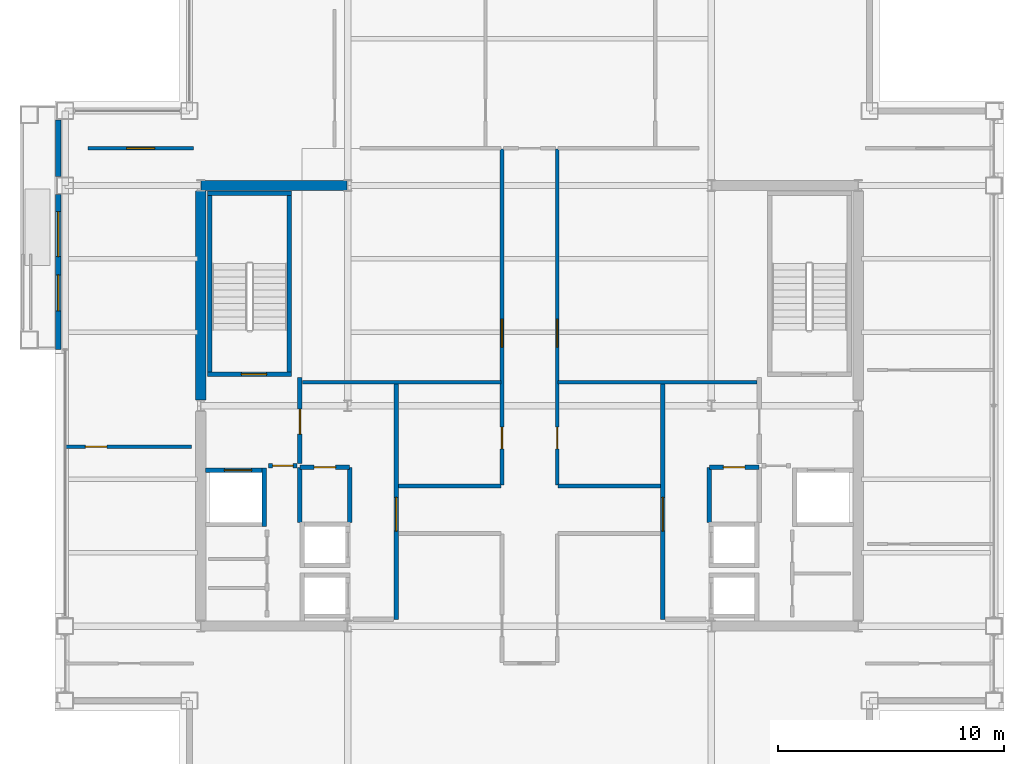
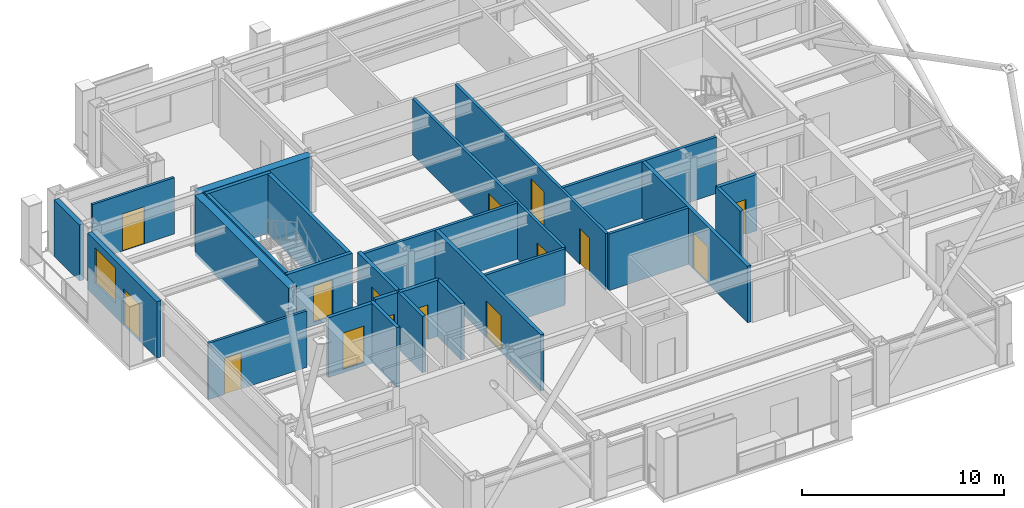
# One storey, part 26 of 30: 27 walls, 15 doors, 1 window, 16 openings.
"""IFC4 building model written with IfcOpenShell, lengths in metres."""

from ifc_helpers import new_model, si_unit, direction, frame, frame_2d, origin, place, context, subcontext, project, spatial, rectangle, extrude, material, layer, layer_set, type_object, element, fill, save


model = new_model("IFC4")

# Units and contexts
model_context = context("Model", 3, precision=1e-05, world=origin(), true_north=direction((0.0, 1.0)))
body_context = subcontext(model_context, "Body", "Model", "MODEL_VIEW")
ifc_project = project(units=[si_unit("LENGTHUNIT", "METRE"), si_unit("AREAUNIT", "SQUARE_METRE"), si_unit("VOLUMEUNIT", "CUBIC_METRE"), si_unit("PLANEANGLEUNIT", "RADIAN"), si_unit("MASSUNIT", "GRAM", prefix="KILO")], contexts=[model_context])

# Site, building, storey
site_placement = place(None, origin())
site = spatial("IfcSite", under=ifc_project, at=site_placement, CompositionType="ELEMENT")
building_placement = place(site_placement, origin())
building = spatial("IfcBuilding", under=site, at=building_placement, Name="Brelmoor Portico Tower", CompositionType="ELEMENT")
storey_placement = place(building_placement, frame((0.0, 0.0, 173.10009765625)))
storey = spatial("IfcBuildingStorey", under=building, at=storey_placement, Name="L45", CompositionType="ELEMENT", Elevation=173.10009765625)

# Walls
ifc_material_1 = material(Name="Concrete C50", Category="concrete")
ifc_layer_1 = layer(ifc_material_1, 0.449951171875)
ifc_layer_set_1 = layer_set([ifc_layer_1], Name="Concrete C50")
wall_type_1 = type_object("IfcWallType", Name="WL-CORE-450", PredefinedType="SHEAR", material=ifc_layer_set_1)
wall_1_placement = place(storey_placement, frame((-14.530029296875, 9.75, -0.2001953125), z_axis=(0.0, 0.0, 1.0), x_axis=(1.0, 0.0, 0.0)))
element("IfcWall", 1, at=wall_1_placement, inside=storey, type_object=wall_type_1, Name="L45 WC North Shear Wall", PredefinedType="SHEAR", context=body_context, shape_type="SweptSolid", body=[
    extrude(rectangle(XDim=6.4599609375, YDim=0.449951171875, at=frame_2d((3.22998046875, 0.0))), origin(), (0.0, 0.0, 1.0), 3.60009765625),
])
wall_2_placement = place(storey_placement, frame((-14.550048828125, 0.25, -0.2001953125), z_axis=(0.0, 0.0, 1.0), x_axis=(0.0, 1.0, 0.0)))
element("IfcWall", 2, at=wall_2_placement, inside=storey, type_object=wall_type_1, Name="L45 WC Outer North Shear Wall", PredefinedType="SHEAR", context=body_context, shape_type="SweptSolid", body=[
    extrude(rectangle(XDim=9.25, YDim=0.449951171875, at=frame_2d((4.625, 0.0))), origin(), (0.0, 0.0, 1.0), 3.60009765625),
])

# Wall, openings, door, window
ifc_material_2 = material(Name="Precast Concrete C40 Insulated Facade Wall", Category="concrete")
ifc_layer_2 = layer(ifc_material_2, 0.25)
ifc_layer_set_2 = layer_set([ifc_layer_2], Name="Precast Concrete C40 Insulated Facade Wall")
wall_type_2 = type_object("IfcWallType", Name="WL-EXT-250", PredefinedType="STANDARD", material=ifc_layer_set_2)
wall_3_placement = place(storey_placement, frame((-20.860107421875, 2.5, 0.0), z_axis=(0.0, 0.0, 1.0), x_axis=(0.0, 1.0, 0.0)))
wall_3 = element("IfcWall", 3, at=wall_3_placement, inside=storey, type_object=wall_type_2, Name="L45 Loggia Threshold Wall W-1", PredefinedType="STANDARD", context=body_context, shape_type="SweptSolid", body=[
    extrude(rectangle(XDim=6.85498046875, YDim=0.25, at=frame_2d((3.427490234375, 0.0))), origin(), (0.0, 0.0, 1.0), 3.39990234375),
])
opening_1_placement = place(wall_3_placement, frame((1.699951171875, 0.0, 0.0)))
opening_1 = element("IfcOpeningElement", 4, at=opening_1_placement, cuts=wall_3, Name="Opening D-TB1", PredefinedType="OPENING", context=body_context, shape_type="SweptSolid", body=[
    extrude(rectangle(XDim=1.60009765625, YDim=2.199951171875, at=frame_2d((0.800048828125, 1.10009765625))), frame((0.0, 0.135009765625, 0.0), z_axis=(0.0, -1.0, 0.0), x_axis=(1.0, 0.0, 0.0)), (0.0, 0.0, 1.0), 0.27001953125),
])
opening_2_placement = place(wall_3_placement, frame((4.10009765625, 0.0, 0.85009765625)))
opening_2 = element("IfcOpeningElement", 5, at=opening_2_placement, cuts=wall_3, Name="Opening W-03", PredefinedType="OPENING", context=body_context, shape_type="SweptSolid", body=[
    extrude(rectangle(XDim=2.0, YDim=2.10009765625, at=frame_2d((1.0, 1.050048828125))), frame((0.0, 0.135009765625, 0.0), z_axis=(0.0, -1.0, 0.0), x_axis=(1.0, 0.0, 0.0)), (0.0, 0.0, 1.0), 0.27001953125),
])
ifc_material_3 = material(Name="Double-Leaf Thermally Broken Terrace Door", Category="aluminium")
door_type_1 = type_object("IfcDoorType", Name="DR-BALCONY-1600", OperationType="NOTDEFINED", PredefinedType="DOOR", material=ifc_material_3)
door_1_placement = place(opening_1_placement, origin())
door_1 = element("IfcDoor", 6, at=door_1_placement, inside=storey, type_object=door_type_1, Name="D-1936 L45 Tree Balcony Double Door W", OperationType="DOUBLE_DOOR_SINGLE_SWING", OverallHeight=2.199951171875, OverallWidth=1.60009765625, PredefinedType="DOOR", context=body_context, shape_type="SweptSolid", body=[
    extrude(rectangle(XDim=1.60009765625, YDim=2.199951171875, at=frame_2d((0.800048828125, 1.10009765625))), frame((0.0, 0.02490234375, 0.0), z_axis=(0.0, -1.0, 0.0), x_axis=(1.0, 0.0, 0.0)), (0.0, 0.0, 1.0), 0.050048828125),
])
fill(opening_1, door_1)
ifc_material_4 = material(Name="Thermally Broken Aluminium Low-E Window", Category="aluminium")
window_type = type_object("IfcWindowType", Name="WN-LOGGIA-2000x2100", PartitioningType="SINGLE_PANEL", PredefinedType="WINDOW", material=ifc_material_4)
window_placement = place(opening_2_placement, origin())
window = element("IfcWindow", 7, at=window_placement, inside=storey, type_object=window_type, Name="L45 Loggia Window W", OverallHeight=2.10009765625, OverallWidth=2.0, PartitioningType="SINGLE_PANEL", PredefinedType="WINDOW", context=body_context, shape_type="SweptSolid", body=[
    extrude(rectangle(XDim=2.0, YDim=2.10009765625, at=frame_2d((1.0, 1.050048828125))), frame((0.0, 0.030029296875, 0.0), z_axis=(0.0, -1.0, 0.0), x_axis=(1.0, 0.0, 0.0)), (0.0, 0.0, 1.0), 0.06005859375),
])
fill(opening_2, window)

# Wall
wall_4_placement = place(storey_placement, frame((-20.860107421875, 10.14501953125, 0.0), z_axis=(0.0, 0.0, 1.0), x_axis=(0.0, 1.0, 0.0)))
element("IfcWall", 8, at=wall_4_placement, inside=storey, type_object=wall_type_2, Name="L45 Loggia Threshold Wall W-2", PredefinedType="STANDARD", context=body_context, shape_type="SweptSolid", body=[
    extrude(rectangle(XDim=2.510009765625, YDim=0.25, at=frame_2d((1.2548828125, 0.0))), origin(), (0.0, 0.0, 1.0), 3.39990234375),
])

# Wall, opening, door
ifc_material_5 = material(Name="Insulated Stud Suite Partition", Category="gypsum")
ifc_layer_3 = layer(ifc_material_5, 0.139892578125)
ifc_layer_set_3 = layer_set([ifc_layer_3], Name="Insulated Stud Suite Partition")
wall_type_3 = type_object("IfcWallType", Name="WL-PART-140", PredefinedType="PARTITIONING", material=ifc_layer_set_3)
wall_5_placement = place(storey_placement, frame((-19.550048828125, 11.39990234375, 0.0), z_axis=(0.0, 0.0, 1.0), x_axis=(1.0, 0.0, 0.0)))
wall_5 = element("IfcWall", 9, at=wall_5_placement, inside=storey, type_object=wall_type_3, Name="L45 North Wing Suite Wall WL", PredefinedType="PARTITIONING", context=body_context, shape_type="SweptSolid", body=[
    extrude(rectangle(XDim=4.670166015625, YDim=0.139892578125, at=frame_2d((2.3349609375, 0.0))), origin(), (0.0, 0.0, 1.0), 3.39990234375),
])
opening_3_placement = place(wall_5_placement, frame((1.715087890625, 0.0, 0.0)))
opening_3 = element("IfcOpeningElement", 10, at=opening_3_placement, cuts=wall_5, Name="Opening D-SU1", PredefinedType="OPENING", context=body_context, shape_type="SweptSolid", body=[
    extrude(rectangle(XDim=1.239990234375, YDim=2.239990234375, at=frame_2d((0.6201171875, 1.1201171875))), frame((0.0, 0.079833984375, 0.0), z_axis=(0.0, -1.0, 0.0), x_axis=(1.0, 0.0, 0.0)), (0.0, 0.0, 1.0), 0.159912109375),
])
ifc_material_6 = material(Name="Glazed Timber Executive Suite Door", Category="wood")
door_type_2 = type_object("IfcDoorType", Name="DR-SUITE-1200", OperationType="NOTDEFINED", PredefinedType="DOOR", material=ifc_material_6)
door_2_placement = place(opening_3_placement, origin())
door_2 = element("IfcDoor", 11, at=door_2_placement, inside=storey, type_object=door_type_2, Name="D-1928 L45 WL Wing Suite Connecting Door", OperationType="SINGLE_SWING_RIGHT", OverallHeight=2.239990234375, OverallWidth=1.239990234375, PredefinedType="DOOR", context=body_context, shape_type="SweptSolid", body=[
    extrude(rectangle(XDim=1.239990234375, YDim=2.239990234375, at=frame_2d((0.6201171875, 1.1201171875))), frame((0.0, 0.02490234375, 0.0), z_axis=(0.0, -1.0, 0.0), x_axis=(1.0, 0.0, 0.0)), (0.0, 0.0, 1.0), 0.050048828125),
])
fill(opening_3, door_2)

wall_6_placement = place(storey_placement, frame((-20.56005859375, -1.811279296875, 0.0), z_axis=(0.0, 0.0, 1.0), x_axis=(1.0, 0.0, 0.0)))
wall_6 = element("IfcWall", 12, at=wall_6_placement, inside=storey, type_object=wall_type_3, Name="L45 W Wing Partition 1", PredefinedType="PARTITIONING", context=body_context, shape_type="SweptSolid", body=[
    extrude(rectangle(XDim=5.60009765625, YDim=0.139892578125, at=frame_2d((2.800048828125, 0.0))), origin(), (0.0, 0.0, 1.0), 3.39990234375),
])
opening_4_placement = place(wall_6_placement, frame((0.89990234375, 0.0, 0.0)))
opening_4 = element("IfcOpeningElement", 13, at=opening_4_placement, cuts=wall_6, Name="Opening D-IN2", PredefinedType="OPENING", context=body_context, shape_type="SweptSolid", body=[
    extrude(rectangle(XDim=0.9599609375, YDim=2.179931640625, at=frame_2d((0.47998046875, 1.08984375))), frame((0.0, 0.079833984375, 0.0), z_axis=(0.0, -1.0, 0.0), x_axis=(1.0, 0.0, 0.0)), (0.0, 0.0, 1.0), 0.159912109375),
])
ifc_material_7 = material(Name="Lacquered Timber Suite Door", Category="wood")
door_type_3 = type_object("IfcDoorType", Name="DR-INT-950", OperationType="NOTDEFINED", PredefinedType="DOOR", material=ifc_material_7)
door_3_placement = place(opening_4_placement, origin())
door_3 = element("IfcDoor", 14, at=door_3_placement, inside=storey, type_object=door_type_3, Name="D-1939 L45 W Wing Suite Connecting Door 1", OperationType="SINGLE_SWING_LEFT", OverallHeight=2.179931640625, OverallWidth=0.9599609375, PredefinedType="DOOR", context=body_context, shape_type="SweptSolid", body=[
    extrude(rectangle(XDim=0.9599609375, YDim=2.179931640625, at=frame_2d((0.47998046875, 1.08984375))), frame((0.0, 0.02490234375, 0.0), z_axis=(0.0, -1.0, 0.0), x_axis=(1.0, 0.0, 0.0)), (0.0, 0.0, 1.0), 0.050048828125),
])
fill(opening_4, door_3)

# Wall
ifc_material_8 = material(Name="Twin-Frame Acoustic Partition", Category="gypsum")
ifc_layer_4 = layer(ifc_material_8, 0.159912109375)
ifc_layer_set_4 = layer_set([ifc_layer_4], Name="Twin-Frame Acoustic Partition")
wall_type_4 = type_object("IfcWallType", Name="WL-PART-160", PredefinedType="PARTITIONING", material=ifc_layer_set_4)
wall_7_placement = place(storey_placement, frame((-10.050048828125, 1.050048828125, 0.0), z_axis=(0.0, 0.0, 1.0), x_axis=(1.0, 0.0, 0.0)))
element("IfcWall", 15, at=wall_7_placement, inside=storey, type_object=wall_type_4, Name="L45 West Reclaimed Suite South Wall", PredefinedType="PARTITIONING", context=body_context, shape_type="SweptSolid", body=[
    extrude(rectangle(XDim=8.7900390625, YDim=0.159912109375, at=frame_2d((4.39501953125, 0.0))), origin(), (0.0, 0.0, 1.0), 3.39990234375),
])

# Wall, openings, doors
wall_8_placement = place(storey_placement, frame((-1.219970703125, -3.5, 0.0), z_axis=(0.0, 0.0, 1.0), x_axis=(0.0, 1.0, 0.0)))
wall_8 = element("IfcWall", 16, at=wall_8_placement, inside=storey, type_object=wall_type_4, Name="L45 Central Cross West Wall", PredefinedType="PARTITIONING", context=body_context, shape_type="SweptSolid", body=[
    extrude(rectangle(XDim=14.860107421875, YDim=0.159912109375, at=frame_2d((7.43017578125, 0.0))), origin(), (0.0, 0.0, 1.0), 3.39990234375),
])
opening_5_placement = place(wall_8_placement, frame((6.10009765625, 0.0, 0.0)))
opening_5 = element("IfcOpeningElement", 17, at=opening_5_placement, cuts=wall_8, Name="Opening D-SU1", PredefinedType="OPENING", context=body_context, shape_type="SweptSolid", body=[
    extrude(rectangle(XDim=1.239990234375, YDim=2.239990234375, at=frame_2d((0.6201171875, 1.1201171875))), frame((0.0, 0.08984375, 0.0), z_axis=(0.0, -1.0, 0.0), x_axis=(1.0, 0.0, 0.0)), (0.0, 0.0, 1.0), 0.179931640625),
])
opening_6_placement = place(wall_8_placement, frame((1.60009765625, 0.0, 0.0)))
opening_6 = element("IfcOpeningElement", 18, at=opening_6_placement, cuts=wall_8, Name="Opening D-IN2", PredefinedType="OPENING", context=body_context, shape_type="SweptSolid", body=[
    extrude(rectangle(XDim=0.9599609375, YDim=2.179931640625, at=frame_2d((0.47998046875, 1.08984375))), frame((0.0, 0.08984375, 0.0), z_axis=(0.0, -1.0, 0.0), x_axis=(1.0, 0.0, 0.0)), (0.0, 0.0, 1.0), 0.179931640625),
])
door_4_placement = place(opening_6_placement, origin())
door_4 = element("IfcDoor", 19, at=door_4_placement, inside=storey, type_object=door_type_3, Name="D-1908 L45 Staff Pantry Door", OperationType="SINGLE_SWING_LEFT", OverallHeight=2.179931640625, OverallWidth=0.9599609375, PredefinedType="DOOR", context=body_context, shape_type="SweptSolid", body=[
    extrude(rectangle(XDim=0.9599609375, YDim=2.179931640625, at=frame_2d((0.47998046875, 1.08984375))), frame((0.0, 0.02490234375, 0.0), z_axis=(0.0, -1.0, 0.0), x_axis=(1.0, 0.0, 0.0)), (0.0, 0.0, 1.0), 0.050048828125),
])
fill(opening_6, door_4)
door_5_placement = place(opening_5_placement, origin())
door_5 = element("IfcDoor", 20, at=door_5_placement, inside=storey, type_object=door_type_2, Name="D-1909 L45 West Reclaimed Studio Door", OperationType="SINGLE_SWING_RIGHT", OverallHeight=2.239990234375, OverallWidth=1.239990234375, PredefinedType="DOOR", context=body_context, shape_type="SweptSolid", body=[
    extrude(rectangle(XDim=1.239990234375, YDim=2.239990234375, at=frame_2d((0.6201171875, 1.1201171875))), frame((0.0, 0.02490234375, 0.0), z_axis=(0.0, -1.0, 0.0), x_axis=(1.0, 0.0, 0.0)), (0.0, 0.0, 1.0), 0.050048828125),
])
fill(opening_5, door_5)

# Walls
wall_9_placement = place(storey_placement, frame((-5.800048828125, -3.550048828125, 0.0), z_axis=(0.0, 0.0, 1.0), x_axis=(1.0, 0.0, 0.0)))
element("IfcWall", 21, at=wall_9_placement, inside=storey, type_object=wall_type_4, Name="L45 West Pantry South Wall", PredefinedType="PARTITIONING", context=body_context, shape_type="SweptSolid", body=[
    extrude(rectangle(XDim=4.5400390625, YDim=0.159912109375, at=frame_2d((2.27001953125, 0.0))), origin(), (0.0, 0.0, 1.0), 3.39990234375),
])
wall_10_placement = place(storey_placement, frame((1.260009765625, 1.050048828125, 0.0), z_axis=(0.0, 0.0, 1.0), x_axis=(1.0, 0.0, 0.0)))
element("IfcWall", 22, at=wall_10_placement, inside=storey, type_object=wall_type_4, Name="L45 East Suite South Wall", PredefinedType="PARTITIONING", context=body_context, shape_type="SweptSolid", body=[
    extrude(rectangle(XDim=8.800048828125, YDim=0.159912109375, at=frame_2d((4.39990234375, 0.0))), origin(), (0.0, 0.0, 1.0), 3.39990234375),
])

# Wall, openings, doors
wall_11_placement = place(storey_placement, frame((1.219970703125, -3.5, 0.0), z_axis=(0.0, 0.0, 1.0), x_axis=(0.0, 1.0, 0.0)))
wall_11 = element("IfcWall", 23, at=wall_11_placement, inside=storey, type_object=wall_type_4, Name="L45 Central Cross East Wall", PredefinedType="PARTITIONING", context=body_context, shape_type="SweptSolid", body=[
    extrude(rectangle(XDim=14.860107421875, YDim=0.159912109375, at=frame_2d((7.43017578125, 0.0))), origin(), (0.0, 0.0, 1.0), 3.39990234375),
])
opening_7_placement = place(wall_11_placement, frame((6.10009765625, 0.0, 0.0)))
opening_7 = element("IfcOpeningElement", 24, at=opening_7_placement, cuts=wall_11, Name="Opening D-SU1", PredefinedType="OPENING", context=body_context, shape_type="SweptSolid", body=[
    extrude(rectangle(XDim=1.239990234375, YDim=2.239990234375, at=frame_2d((0.6201171875, 1.1201171875))), frame((0.0, 0.08984375, 0.0), z_axis=(0.0, -1.0, 0.0), x_axis=(1.0, 0.0, 0.0)), (0.0, 0.0, 1.0), 0.179931640625),
])
opening_8_placement = place(wall_11_placement, frame((1.60009765625, 0.0, 0.0)))
opening_8 = element("IfcOpeningElement", 25, at=opening_8_placement, cuts=wall_11, Name="Opening D-IN2", PredefinedType="OPENING", context=body_context, shape_type="SweptSolid", body=[
    extrude(rectangle(XDim=0.9599609375, YDim=2.179931640625, at=frame_2d((0.47998046875, 1.08984375))), frame((0.0, 0.08984375, 0.0), z_axis=(0.0, -1.0, 0.0), x_axis=(1.0, 0.0, 0.0)), (0.0, 0.0, 1.0), 0.179931640625),
])
door_6_placement = place(opening_8_placement, origin())
door_6 = element("IfcDoor", 26, at=door_6_placement, inside=storey, type_object=door_type_3, Name="D-1904 L45 Client Project Office Door", OperationType="SINGLE_SWING_LEFT", OverallHeight=2.179931640625, OverallWidth=0.9599609375, PredefinedType="DOOR", context=body_context, shape_type="SweptSolid", body=[
    extrude(rectangle(XDim=0.9599609375, YDim=2.179931640625, at=frame_2d((0.47998046875, 1.08984375))), frame((0.0, 0.02490234375, 0.0), z_axis=(0.0, -1.0, 0.0), x_axis=(1.0, 0.0, 0.0)), (0.0, 0.0, 1.0), 0.050048828125),
])
fill(opening_8, door_6)
door_7_placement = place(opening_7_placement, origin())
door_7 = element("IfcDoor", 27, at=door_7_placement, inside=storey, type_object=door_type_2, Name="D-1905 L45 East Reclaimed Studio Door", OperationType="SINGLE_SWING_RIGHT", OverallHeight=2.239990234375, OverallWidth=1.239990234375, PredefinedType="DOOR", context=body_context, shape_type="SweptSolid", body=[
    extrude(rectangle(XDim=1.239990234375, YDim=2.239990234375, at=frame_2d((0.6201171875, 1.1201171875))), frame((0.0, 0.02490234375, 0.0), z_axis=(0.0, -1.0, 0.0), x_axis=(1.0, 0.0, 0.0)), (0.0, 0.0, 1.0), 0.050048828125),
])
fill(opening_7, door_7)

# Wall
wall_12_placement = place(storey_placement, frame((1.260009765625, -3.550048828125, 0.0), z_axis=(0.0, 0.0, 1.0), x_axis=(1.0, 0.0, 0.0)))
element("IfcWall", 28, at=wall_12_placement, inside=storey, type_object=wall_type_4, Name="L45 East Office South Wall", PredefinedType="PARTITIONING", context=body_context, shape_type="SweptSolid", body=[
    extrude(rectangle(XDim=4.5400390625, YDim=0.159912109375, at=frame_2d((2.27001953125, 0.0))), origin(), (0.0, 0.0, 1.0), 3.39990234375),
])

# Wall, opening, door
ifc_material_9 = material(Name="Double-Stud Gypsum Fire Partition", Category="gypsum")
ifc_layer_5 = layer(ifc_material_9, 0.199951171875)
ifc_layer_set_5 = layer_set([ifc_layer_5], Name="Double-Stud Gypsum Fire Partition")
wall_type_5 = type_object("IfcWallType", Name="WL-PART-200", PredefinedType="PARTITIONING", material=ifc_layer_set_5)
wall_13_placement = place(storey_placement, frame((-5.89990234375, -9.449951171875, 0.0), z_axis=(0.0, 0.0, 1.0), x_axis=(0.0, 1.0, 0.0)))
wall_13 = element("IfcWall", 29, at=wall_13_placement, inside=storey, type_object=wall_type_5, Name="L45 W Core Lobby Compartment Wall", PredefinedType="PARTITIONING", context=body_context, shape_type="SweptSolid", body=[
    extrude(rectangle(XDim=10.5, YDim=0.199951171875, at=frame_2d((5.25, 0.0))), origin(), (0.0, 0.0, 1.0), 3.39990234375),
])
opening_9_placement = place(wall_13_placement, frame((3.89990234375, 0.0, 0.0)))
opening_9 = element("IfcOpeningElement", 30, at=opening_9_placement, cuts=wall_13, Name="Opening D-LB1", PredefinedType="OPENING", context=body_context, shape_type="SweptSolid", body=[
    extrude(rectangle(XDim=1.5, YDim=2.199951171875, at=frame_2d((0.75, 1.10009765625))), frame((0.0, 0.10986328125, 0.0), z_axis=(0.0, -1.0, 0.0), x_axis=(1.0, 0.0, 0.0)), (0.0, 0.0, 1.0), 0.219970703125),
])
ifc_material_10 = material(Name="Double-Leaf Glazed Steel Fire Door", Category="steel")
door_type_4 = type_object("IfcDoorType", Name="DR-LOBBY-1500", OperationType="NOTDEFINED", PredefinedType="DOOR", material=ifc_material_10)
door_8_placement = place(opening_9_placement, origin())
door_8 = element("IfcDoor", 31, at=door_8_placement, inside=storey, type_object=door_type_4, Name="D-1922 L45 W Lift Lobby Main Door", OperationType="DOUBLE_DOOR_SINGLE_SWING", OverallHeight=2.199951171875, OverallWidth=1.5, PredefinedType="DOOR", context=body_context, shape_type="SweptSolid", body=[
    extrude(rectangle(XDim=1.5, YDim=2.199951171875, at=frame_2d((0.75, 1.10009765625))), frame((0.0, 0.02490234375, 0.0), z_axis=(0.0, -1.0, 0.0), x_axis=(1.0, 0.0, 0.0)), (0.0, 0.0, 1.0), 0.050048828125),
])
fill(opening_9, door_8)

wall_14_placement = place(storey_placement, frame((-10.159912109375, -2.550048828125, 0.0), z_axis=(0.0, 0.0, 1.0), x_axis=(0.0, 1.0, 0.0)))
wall_14 = element("IfcWall", 32, at=wall_14_placement, inside=storey, type_object=wall_type_5, Name="L45 W Firefighting Lobby Wall", PredefinedType="PARTITIONING", context=body_context, shape_type="SweptSolid", body=[
    extrude(rectangle(XDim=3.800048828125, YDim=0.199951171875, at=frame_2d((1.89990234375, 0.0))), origin(), (0.0, 0.0, 1.0), 3.39990234375),
])
opening_10_placement = place(wall_14_placement, frame((1.300048828125, 0.0, 0.0)))
opening_10 = element("IfcOpeningElement", 33, at=opening_10_placement, cuts=wall_14, Name="Opening D-FR1", PredefinedType="OPENING", context=body_context, shape_type="SweptSolid", body=[
    extrude(rectangle(XDim=1.10009765625, YDim=2.14990234375, at=frame_2d((0.550048828125, 1.074951171875))), frame((0.0, 0.10986328125, 0.0), z_axis=(0.0, -1.0, 0.0), x_axis=(1.0, 0.0, 0.0)), (0.0, 0.0, 1.0), 0.219970703125),
])
ifc_material_11 = material(Name="Painted Galvanised Steel Fire Door", Category="steel")
door_type_5 = type_object("IfcDoorType", Name="DR-FIRE-1100", OperationType="NOTDEFINED", PredefinedType="DOOR", material=ifc_material_11)
door_9_placement = place(opening_10_placement, origin())
door_9 = element("IfcDoor", 34, at=door_9_placement, inside=storey, type_object=door_type_5, Name="D-1920 L45 W Firefighting Lobby Door", OperationType="SINGLE_SWING_LEFT", OverallHeight=2.14990234375, OverallWidth=1.10009765625, PredefinedType="DOOR", context=body_context, shape_type="SweptSolid", body=[
    extrude(rectangle(XDim=1.10009765625, YDim=2.14990234375, at=frame_2d((0.550048828125, 1.074951171875))), frame((0.0, 0.02490234375, 0.0), z_axis=(0.0, -1.0, 0.0), x_axis=(1.0, 0.0, 0.0)), (0.0, 0.0, 1.0), 0.050048828125),
])
fill(opening_10, door_9)

wall_15_placement = place(storey_placement, frame((-10.280029296875, -2.64990234375, 0.0), z_axis=(0.0, 0.0, 1.0), x_axis=(-1.0, 0.0, 0.0)))
wall_15 = element("IfcWall", 35, at=wall_15_placement, inside=storey, type_object=wall_type_5, Name="L45 W Firefighting Lobby South Wall", PredefinedType="PARTITIONING", context=body_context, shape_type="SweptSolid", body=[
    extrude(rectangle(XDim=1.27001953125, YDim=0.199951171875, at=frame_2d((0.635009765625, 0.0))), origin(), (0.0, 0.0, 1.0), 3.39990234375),
])
opening_11_placement = place(wall_15_placement, frame((0.18505859375, 0.0, 0.0)))
opening_11 = element("IfcOpeningElement", 36, at=opening_11_placement, cuts=wall_15, Name="Opening D-IN1", PredefinedType="OPENING", context=body_context, shape_type="SweptSolid", body=[
    extrude(rectangle(XDim=0.89990234375, YDim=2.14990234375, at=frame_2d((0.449951171875, 1.074951171875))), frame((0.0, 0.10986328125, 0.0), z_axis=(0.0, -1.0, 0.0), x_axis=(1.0, 0.0, 0.0)), (0.0, 0.0, 1.0), 0.219970703125),
])
door_type_6 = type_object("IfcDoorType", Name="DR-INT-900", OperationType="NOTDEFINED", PredefinedType="DOOR", material=ifc_material_7)
door_10_placement = place(opening_11_placement, origin())
door_10 = element("IfcDoor", 37, at=door_10_placement, inside=storey, type_object=door_type_6, Name="D-1913 L45 W Core Service Vestibule Door", OperationType="SINGLE_SWING_RIGHT", OverallHeight=2.14990234375, OverallWidth=0.89990234375, PredefinedType="DOOR", context=body_context, shape_type="SweptSolid", body=[
    extrude(rectangle(XDim=0.89990234375, YDim=2.14990234375, at=frame_2d((0.449951171875, 1.074951171875))), frame((0.0, 0.02490234375, 0.0), z_axis=(0.0, -1.0, 0.0), x_axis=(1.0, 0.0, 0.0)), (0.0, 0.0, 1.0), 0.050048828125),
])
fill(opening_11, door_10)

wall_16_placement = place(storey_placement, frame((-7.9599609375, -2.719970703125, 0.0), z_axis=(0.0, 0.0, 1.0), x_axis=(-1.0, 0.0, 0.0)))
wall_16 = element("IfcWall", 38, at=wall_16_placement, inside=storey, type_object=wall_type_5, Name="L45 W Electrical Switchgear Closet Wall", PredefinedType="PARTITIONING", context=body_context, shape_type="SweptSolid", body=[
    extrude(rectangle(XDim=2.199951171875, YDim=0.199951171875, at=frame_2d((1.10009765625, 0.0))), origin(), (0.0, 0.0, 1.0), 3.39990234375),
])
opening_12_placement = place(wall_16_placement, frame((0.6201171875, 0.0, 0.0)))
opening_12 = element("IfcOpeningElement", 39, at=opening_12_placement, cuts=wall_16, Name="Opening D-FR4", PredefinedType="OPENING", context=body_context, shape_type="SweptSolid", body=[
    extrude(rectangle(XDim=0.949951171875, YDim=2.10009765625, at=frame_2d((0.47509765625, 1.050048828125))), frame((0.0, 0.10986328125, 0.0), z_axis=(0.0, -1.0, 0.0), x_axis=(1.0, 0.0, 0.0)), (0.0, 0.0, 1.0), 0.219970703125),
])
ifc_material_12 = material(Name="Painted Galvanised Steel Riser Door", Category="steel")
door_type_7 = type_object("IfcDoorType", Name="DR-FIRE-950", OperationType="NOTDEFINED", PredefinedType="DOOR", material=ifc_material_12)
door_11_placement = place(opening_12_placement, origin())
door_11 = element("IfcDoor", 40, at=door_11_placement, inside=storey, type_object=door_type_7, Name="D-1918 L45 W Electrical Switchgear Closet Door", OperationType="SINGLE_SWING_LEFT", OverallHeight=2.10009765625, OverallWidth=0.949951171875, PredefinedType="DOOR", context=body_context, shape_type="SweptSolid", body=[
    extrude(rectangle(XDim=0.949951171875, YDim=2.10009765625, at=frame_2d((0.47509765625, 1.050048828125))), frame((0.0, 0.02490234375, 0.0), z_axis=(0.0, -1.0, 0.0), x_axis=(1.0, 0.0, 0.0)), (0.0, 0.0, 1.0), 0.050048828125),
])
fill(opening_12, door_11)

# Walls
for number, where, z_axis, x_axis, name in (
    (41, (-7.9599609375, -5.159912109375, 0.0), (0.0, 0.0, 1.0), (0.0, 1.0, 0.0), "L45 W Electrical Switchgear Closet Inner Wall"),
    (42, (-10.159912109375, -5.159912109375, 0.0), (0.0, 0.0, 1.0), (0.0, 1.0, 0.0), "L45 W Electrical Switchgear Closet Outer Wall"),
):
    element("IfcWall", number, at=place(storey_placement, frame(where, z_axis=z_axis, x_axis=x_axis)), inside=storey, type_object=wall_type_5, Name=name, PredefinedType="PARTITIONING", context=body_context, shape_type="SweptSolid", body=[
        extrude(rectangle(XDim=2.43994140625, YDim=0.199951171875, at=frame_2d((1.219970703125, 0.0))), origin(), (0.0, 0.0, 1.0), 3.39990234375),
    ])

# Wall, opening, door
wall_17_placement = place(storey_placement, frame((5.89990234375, -9.449951171875, 0.0), z_axis=(0.0, 0.0, 1.0), x_axis=(0.0, 1.0, 0.0)))
wall_17 = element("IfcWall", 43, at=wall_17_placement, inside=storey, type_object=wall_type_5, Name="L45 E Core Lobby Compartment Wall", PredefinedType="PARTITIONING", context=body_context, shape_type="SweptSolid", body=[
    extrude(rectangle(XDim=10.5, YDim=0.199951171875, at=frame_2d((5.25, 0.0))), origin(), (0.0, 0.0, 1.0), 3.39990234375),
])
opening_13_placement = place(wall_17_placement, frame((3.89990234375, 0.0, 0.0)))
opening_13 = element("IfcOpeningElement", 44, at=opening_13_placement, cuts=wall_17, Name="Opening D-LB1", PredefinedType="OPENING", context=body_context, shape_type="SweptSolid", body=[
    extrude(rectangle(XDim=1.5, YDim=2.199951171875, at=frame_2d((0.75, 1.10009765625))), frame((0.0, 0.10986328125, 0.0), z_axis=(0.0, -1.0, 0.0), x_axis=(1.0, 0.0, 0.0)), (0.0, 0.0, 1.0), 0.219970703125),
])
door_12_placement = place(opening_13_placement, origin())
door_12 = element("IfcDoor", 45, at=door_12_placement, inside=storey, type_object=door_type_4, Name="D-1921 L45 E Lift Lobby Main Door", OperationType="DOUBLE_DOOR_SINGLE_SWING", OverallHeight=2.199951171875, OverallWidth=1.5, PredefinedType="DOOR", context=body_context, shape_type="SweptSolid", body=[
    extrude(rectangle(XDim=1.5, YDim=2.199951171875, at=frame_2d((0.75, 1.10009765625))), frame((0.0, 0.02490234375, 0.0), z_axis=(0.0, -1.0, 0.0), x_axis=(1.0, 0.0, 0.0)), (0.0, 0.0, 1.0), 0.050048828125),
])
fill(opening_13, door_12)

wall_18_placement = place(storey_placement, frame((7.9599609375, -2.719970703125, 0.0), z_axis=(0.0, 0.0, 1.0), x_axis=(1.0, 0.0, 0.0)))
wall_18 = element("IfcWall", 46, at=wall_18_placement, inside=storey, type_object=wall_type_5, Name="L45 E Electrical Switchgear Closet Wall", PredefinedType="PARTITIONING", context=body_context, shape_type="SweptSolid", body=[
    extrude(rectangle(XDim=2.199951171875, YDim=0.199951171875, at=frame_2d((1.10009765625, 0.0))), origin(), (0.0, 0.0, 1.0), 3.39990234375),
])
opening_14_placement = place(wall_18_placement, frame((0.6201171875, 0.0, 0.0)))
opening_14 = element("IfcOpeningElement", 47, at=opening_14_placement, cuts=wall_18, Name="Opening D-FR4", PredefinedType="OPENING", context=body_context, shape_type="SweptSolid", body=[
    extrude(rectangle(XDim=0.949951171875, YDim=2.10009765625, at=frame_2d((0.47509765625, 1.050048828125))), frame((0.0, 0.10986328125, 0.0), z_axis=(0.0, -1.0, 0.0), x_axis=(1.0, 0.0, 0.0)), (0.0, 0.0, 1.0), 0.219970703125),
])
door_13_placement = place(opening_14_placement, origin())
door_13 = element("IfcDoor", 48, at=door_13_placement, inside=storey, type_object=door_type_7, Name="D-1917 L45 E Electrical Switchgear Closet Door", OperationType="SINGLE_SWING_LEFT", OverallHeight=2.10009765625, OverallWidth=0.949951171875, PredefinedType="DOOR", context=body_context, shape_type="SweptSolid", body=[
    extrude(rectangle(XDim=0.949951171875, YDim=2.10009765625, at=frame_2d((0.47509765625, 1.050048828125))), frame((0.0, 0.02490234375, 0.0), z_axis=(0.0, -1.0, 0.0), x_axis=(1.0, 0.0, 0.0)), (0.0, 0.0, 1.0), 0.050048828125),
])
fill(opening_14, door_13)

# Wall
wall_19_placement = place(storey_placement, frame((7.9599609375, -5.159912109375, 0.0), z_axis=(0.0, 0.0, 1.0), x_axis=(0.0, 1.0, 0.0)))
element("IfcWall", 49, at=wall_19_placement, inside=storey, type_object=wall_type_5, Name="L45 E Electrical Switchgear Closet Inner Wall", PredefinedType="PARTITIONING", context=body_context, shape_type="SweptSolid", body=[
    extrude(rectangle(XDim=2.43994140625, YDim=0.199951171875, at=frame_2d((1.219970703125, 0.0))), origin(), (0.0, 0.0, 1.0), 3.39990234375),
])

# Wall, opening, door
ifc_material_13 = material(Name="Precast Concrete C40", Category="concrete")
ifc_layer_6 = layer(ifc_material_13, 0.18994140625)
ifc_layer_set_6 = layer_set([ifc_layer_6], Name="Precast Concrete C40")
wall_type_6 = type_object("IfcWallType", Name="WL-SHAFT-180", PredefinedType="SOLIDWALL", material=ifc_layer_set_6)
wall_20_placement = place(storey_placement, frame((-14.330078125, -2.844970703125, -0.2001953125), z_axis=(0.0, 0.0, 1.0), x_axis=(1.0, 0.0, 0.0)))
wall_20 = element("IfcWall", 50, at=wall_20_placement, inside=storey, type_object=wall_type_6, Name="L45 Lift FF1 Hoistway Front Wall", PredefinedType="SOLIDWALL", context=body_context, shape_type="SweptSolid", body=[
    extrude(rectangle(XDim=2.68017578125, YDim=0.18994140625, at=frame_2d((1.340087890625, 0.0))), origin(), (0.0, 0.0, 1.0), 3.60009765625),
])
opening_15_placement = place(wall_20_placement, frame((0.830078125, 0.0, 0.199951171875)))
opening_15 = element("IfcOpeningElement", 51, at=opening_15_placement, cuts=wall_20, Name="Opening LD-02", PredefinedType="OPENING", context=body_context, shape_type="SweptSolid", body=[
    extrude(rectangle(XDim=1.199951171875, YDim=2.199951171875, at=frame_2d((0.60009765625, 1.10009765625))), frame((0.0, 0.10498046875, 0.0), z_axis=(0.0, -1.0, 0.0), x_axis=(1.0, 0.0, 0.0)), (0.0, 0.0, 1.0), 0.2099609375),
])
ifc_material_14 = material(Name="Brushed Stainless Steel Firefighting Lift Door", Category="steel")
door_type_8 = type_object("IfcDoorType", Name="DR-LIFT-1200", OperationType="NOTDEFINED", PredefinedType="DOOR", material=ifc_material_14)
door_14_placement = place(opening_15_placement, origin())
door_14 = element("IfcDoor", 52, at=door_14_placement, inside=storey, type_object=door_type_8, Name="D-1940 L45 Lift FF1 Sliding Landing Door", OperationType="SLIDING_TO_LEFT", OverallHeight=2.199951171875, OverallWidth=1.199951171875, PredefinedType="DOOR", context=body_context, shape_type="SweptSolid", body=[
    extrude(rectangle(XDim=1.199951171875, YDim=2.199951171875, at=frame_2d((0.60009765625, 1.10009765625))), frame((0.0, 0.02490234375, 0.0), z_axis=(0.0, -1.0, 0.0), x_axis=(1.0, 0.0, 0.0)), (0.0, 0.0, 1.0), 0.050048828125),
])
fill(opening_15, door_14)

# Walls
wall_21_placement = place(storey_placement, frame((-11.7451171875, -5.35009765625, -0.2001953125), z_axis=(0.0, 0.0, 1.0), x_axis=(0.0, 1.0, 0.0)))
element("IfcWall", 53, at=wall_21_placement, inside=storey, type_object=wall_type_6, Name="L45 Firefighting Lift FF1 Inner Wall", PredefinedType="SOLIDWALL", context=body_context, shape_type="SweptSolid", body=[
    extrude(rectangle(XDim=2.60009765625, YDim=0.18994140625, at=frame_2d((1.300048828125, 0.0))), origin(), (0.0, 0.0, 1.0), 3.60009765625),
])
ifc_material_15 = material(Name="Concrete C40", Category="concrete")
ifc_layer_7 = layer(ifc_material_15, 0.199951171875)
ifc_layer_set_7 = layer_set([ifc_layer_7], Name="Concrete C40")
wall_type_7 = type_object("IfcWallType", Name="WL-SHAFT-RC200", PredefinedType="SOLIDWALL", material=ifc_layer_set_7)
wall_22_placement = place(storey_placement, frame((-14.14990234375, 1.5, -0.2001953125), z_axis=(0.0, 0.0, 1.0), x_axis=(0.0, 1.0, 0.0)))
element("IfcWall", 54, at=wall_22_placement, inside=storey, type_object=wall_type_7, Name="L45 ST-W Structural Stair Wall Outer", PredefinedType="SOLIDWALL", context=body_context, shape_type="SweptSolid", body=[
    extrude(rectangle(XDim=7.800048828125, YDim=0.199951171875, at=frame_2d((3.89990234375, 0.0))), origin(), (0.0, 0.0, 1.0), 3.60009765625),
])

# Wall, opening, door
wall_23_placement = place(storey_placement, frame((-14.25, 1.39990234375, -0.2001953125), z_axis=(0.0, 0.0, 1.0), x_axis=(1.0, 0.0, 0.0)))
wall_23 = element("IfcWall", 55, at=wall_23_placement, inside=storey, type_object=wall_type_7, Name="L45 ST-W Structural Stair Wall S", PredefinedType="SOLIDWALL", context=body_context, shape_type="SweptSolid", body=[
    extrude(rectangle(XDim=3.719970703125, YDim=0.199951171875, at=frame_2d((1.85986328125, 0.0))), origin(), (0.0, 0.0, 1.0), 3.60009765625),
])
opening_16_placement = place(wall_23_placement, frame((1.5, 0.0, 0.199951171875)))
opening_16 = element("IfcOpeningElement", 56, at=opening_16_placement, cuts=wall_23, Name="Opening D-ST1", PredefinedType="OPENING", context=body_context, shape_type="SweptSolid", body=[
    extrude(rectangle(XDim=1.1201171875, YDim=2.179931640625, at=frame_2d((0.56005859375, 1.08984375))), frame((0.0, 0.10986328125, 0.0), z_axis=(0.0, -1.0, 0.0), x_axis=(1.0, 0.0, 0.0)), (0.0, 0.0, 1.0), 0.219970703125),
])
door_type_9 = type_object("IfcDoorType", Name="DR-STAIR-1100", OperationType="NOTDEFINED", PredefinedType="DOOR", material=ifc_material_11)
door_15_placement = place(opening_16_placement, origin())
door_15 = element("IfcDoor", 57, at=door_15_placement, inside=storey, type_object=door_type_9, Name="D-1931 L45 ST-W Protected Exit Stair Door", OperationType="SINGLE_SWING_LEFT", OverallHeight=2.179931640625, OverallWidth=1.1201171875, PredefinedType="DOOR", context=body_context, shape_type="SweptSolid", body=[
    extrude(rectangle(XDim=1.1201171875, YDim=2.179931640625, at=frame_2d((0.56005859375, 1.08984375))), frame((0.0, 0.02490234375, 0.0), z_axis=(0.0, -1.0, 0.0), x_axis=(1.0, 0.0, 0.0)), (0.0, 0.0, 1.0), 0.050048828125),
])
fill(opening_16, door_15)

# Walls
wall_24_placement = place(storey_placement, frame((-14.25, 9.39990234375, -0.2001953125), z_axis=(0.0, 0.0, 1.0), x_axis=(1.0, 0.0, 0.0)))
element("IfcWall", 58, at=wall_24_placement, inside=storey, type_object=wall_type_7, Name="L45 ST-W Structural Stair Wall N", PredefinedType="SOLIDWALL", context=body_context, shape_type="SweptSolid", body=[
    extrude(rectangle(XDim=3.719970703125, YDim=0.199951171875, at=frame_2d((1.85986328125, 0.0))), origin(), (0.0, 0.0, 1.0), 3.60009765625),
])
wall_25_placement = place(storey_placement, frame((-10.6298828125, 1.5, -0.2001953125), z_axis=(0.0, 0.0, 1.0), x_axis=(0.0, 1.0, 0.0)))
element("IfcWall", 59, at=wall_25_placement, inside=storey, type_object=wall_type_7, Name="L45 ST-W Structural Stair Wall Inner", PredefinedType="SOLIDWALL", context=body_context, shape_type="SweptSolid", body=[
    extrude(rectangle(XDim=7.800048828125, YDim=0.199951171875, at=frame_2d((3.89990234375, 0.0))), origin(), (0.0, 0.0, 1.0), 3.60009765625),
])

save(model, "model.ifc")
